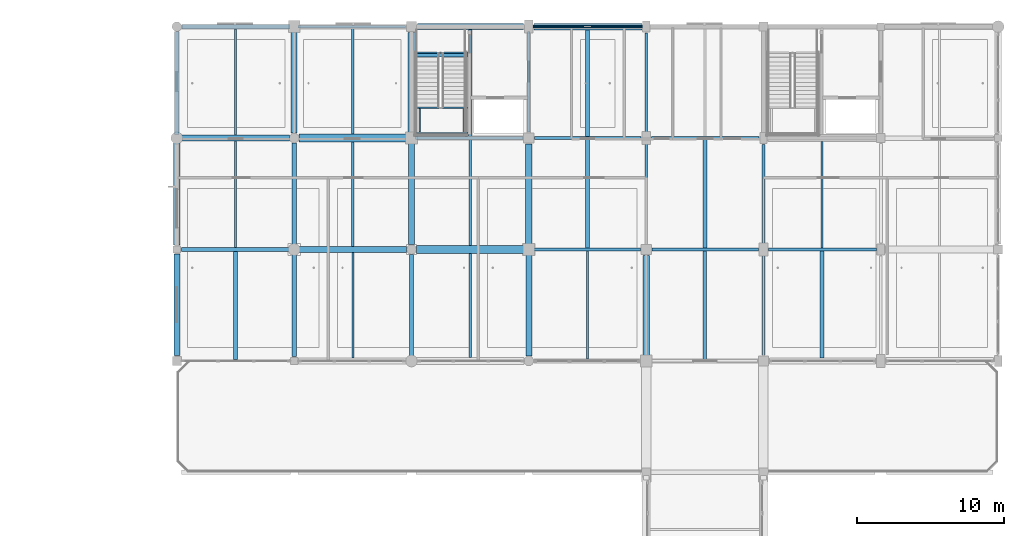
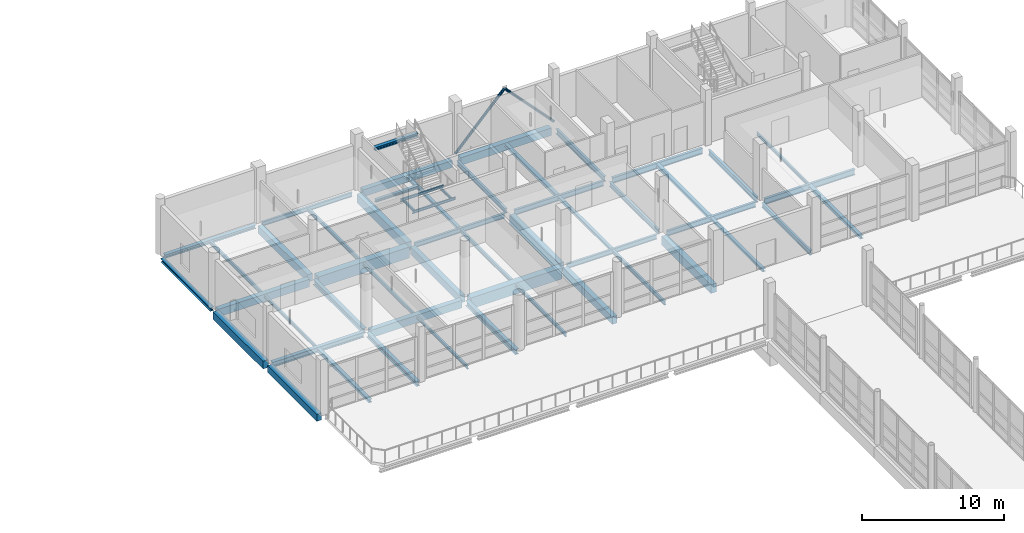
# One storey, part 67 of 141: 54 beams, 2 members.
"""IFC4 building model written with IfcOpenShell, lengths in metres."""

from ifc_helpers import new_model, si_unit, direction, frame, origin, origin_2d, place, context, subcontext, project, spatial, rectangle, hollow_circle, i_section, extrude, material, material_profile, profile_set, type_object, element, save


model = new_model("IFC4")

# Units and contexts
model_context = context("Model", 3, precision=1e-05, world=origin(), true_north=direction((0.0, 1.0)))
body_context = subcontext(model_context, "Body", "Model", "MODEL_VIEW")
ifc_project = project(units=[si_unit("LENGTHUNIT", "METRE"), si_unit("AREAUNIT", "SQUARE_METRE"), si_unit("VOLUMEUNIT", "CUBIC_METRE"), si_unit("PLANEANGLEUNIT", "RADIAN"), si_unit("MASSUNIT", "GRAM", prefix="KILO")], contexts=[model_context])

# Site, building, storey
site_placement = place(None, origin())
site = spatial("IfcSite", under=ifc_project, at=site_placement, CompositionType="ELEMENT")
building_placement = place(site_placement, origin())
building = spatial("IfcBuilding", under=site, at=building_placement, Name="Khelvaren Railside Concert Hall", CompositionType="ELEMENT")
storey_placement = place(building_placement, frame((0.0, 0.0, 10.199951171875)))
storey = spatial("IfcBuildingStorey", under=building, at=storey_placement, Name="L02", CompositionType="ELEMENT", Elevation=10.199951171875)

# Beams
ifc_material_1 = material(Name="Steel S355", Category="steel")
ifc_material_profile_1 = material_profile(ifc_material_1, i_section(OverallWidth=0.300048828125, OverallDepth=0.389892578125, WebThickness=0.010986328125, FlangeThickness=0.01904296875, FilletRadius=0.027099609375, at=origin_2d()), Name="HEA 400")
ifc_profile_set_1 = profile_set([ifc_material_profile_1], Name="Steel S355")
beam_type_1 = type_object("IfcBeamType", Name="BM23", PredefinedType="BEAM", material=ifc_profile_set_1)
beam_1_placement = place(storey_placement, frame((136.0, 91.5, -0.48486328125), z_axis=(0.0, 1.0, 0.0), x_axis=(-1.0, 0.0, 0.0)))
element("IfcBeam", 1, at=beam_1_placement, inside=storey, type_object=beam_type_1, Name="V5 L02 Beam Y2.2", PredefinedType="BEAM", context=body_context, shape_type="SweptSolid", body=[
    extrude(i_section(OverallWidth=0.300048828125, OverallDepth=0.389892578125, WebThickness=0.010986328125, FlangeThickness=0.01904296875, FilletRadius=0.027099609375, at=origin_2d()), origin(), (0.0, 0.0, 1.0), 7.050048828125),
])
ifc_material_profile_2 = material_profile(ifc_material_1, i_section(OverallWidth=0.179931640625, OverallDepth=0.39990234375, WebThickness=0.008544921875, FlangeThickness=0.013427734375, FilletRadius=0.02099609375, at=origin_2d()), Name="IPE 400")
ifc_profile_set_2 = profile_set([ifc_material_profile_2], Name="Steel S355")
beam_type_2 = type_object("IfcBeamType", Name="BM29", PredefinedType="BEAM", material=ifc_profile_set_2)
for number, where, z_axis, x_axis, name in (
    (2, (152.27294921875, 98.800048828125, -0.489990234375), (1.0, 0.0, 0.0), (0.0, 1.0, 0.0), "V5 L02 Beam X3.4"),
    (3, (144.27294921875, 106.39990234375, -0.489990234375), (1.0, 0.0, 0.0), (0.0, 1.0, 0.0), "V5 L02 Beam X4.3"),
):
    element("IfcBeam", number, at=place(storey_placement, frame(where, z_axis=z_axis, x_axis=x_axis)), inside=storey, type_object=beam_type_2, Name=name, PredefinedType="BEAM", context=body_context, shape_type="SweptSolid", body=[
        extrude(i_section(OverallWidth=0.179931640625, OverallDepth=0.39990234375, WebThickness=0.008544921875, FlangeThickness=0.013427734375, FilletRadius=0.02099609375, at=origin_2d()), origin(), (0.0, 0.0, 1.0), 7.3271484375),
    ])
beam_2_placement = place(storey_placement, frame((152.0, 106.800048828125, -0.489990234375), z_axis=(0.0, 1.0, 0.0), x_axis=(-1.0, 0.0, 0.0)))
element("IfcBeam", 4, at=beam_2_placement, inside=storey, type_object=beam_type_2, Name="V5 L02 Beam Y4.4", PredefinedType="BEAM", context=body_context, shape_type="SweptSolid", body=[
    extrude(i_section(OverallWidth=0.179931640625, OverallDepth=0.39990234375, WebThickness=0.008544921875, FlangeThickness=0.013427734375, FilletRadius=0.02099609375, at=origin_2d()), origin(), (0.0, 0.0, 1.0), 6.849853515625),
])
beam_3_placement = place(storey_placement, frame((160.0, 99.199951171875, -0.489990234375), z_axis=(0.0, 1.0, 0.0), x_axis=(-1.0, 0.0, 0.0)))
element("IfcBeam", 5, at=beam_3_placement, inside=storey, type_object=beam_type_2, Name="V5 L02 Beam Y5.3", PredefinedType="BEAM", context=body_context, shape_type="SweptSolid", body=[
    extrude(i_section(OverallWidth=0.179931640625, OverallDepth=0.39990234375, WebThickness=0.008544921875, FlangeThickness=0.013427734375, FilletRadius=0.02099609375, at=origin_2d()), origin(), (0.0, 0.0, 1.0), 6.85009765625),
])
beam_4_placement = place(storey_placement, frame((168.0, 91.60009765625, -0.489990234375), z_axis=(0.0, 1.0, 0.0), x_axis=(-1.0, 0.0, 0.0)))
element("IfcBeam", 6, at=beam_4_placement, inside=storey, type_object=beam_type_2, Name="V5 L02 Beam Y6.2", PredefinedType="BEAM", context=body_context, shape_type="SweptSolid", body=[
    extrude(i_section(OverallWidth=0.179931640625, OverallDepth=0.39990234375, WebThickness=0.008544921875, FlangeThickness=0.013427734375, FilletRadius=0.02099609375, at=origin_2d()), origin(), (0.0, 0.0, 1.0), 6.849853515625),
])
ifc_material_2 = material(Name="Concrete C40/50", Category="concrete")
ifc_material_profile_3 = material_profile(ifc_material_2, rectangle(XDim=0.39990234375, YDim=0.64990234375, at=origin_2d()), Name="RCB 400x650")
ifc_profile_set_3 = profile_set([ifc_material_profile_3], Name="Concrete C40/50")
beam_type_3 = type_object("IfcBeamType", Name="BM33", PredefinedType="BEAM", material=ifc_profile_set_3)
for number, where, z_axis, x_axis, name in (
    (7, (136.25, 98.800048828125, -0.614990234375), (1.0, 0.0, 0.0), (0.0, 1.0, 0.0), "V5 L02 Beam X3.2"),
    (8, (128.25, 106.39990234375, -0.614990234375), (1.0, 0.0, 0.0), (0.0, 1.0, 0.0), "V5 L02 Beam X4.1"),
):
    element("IfcBeam", number, at=place(storey_placement, frame(where, z_axis=z_axis, x_axis=x_axis)), inside=storey, type_object=beam_type_3, Name=name, PredefinedType="BEAM", context=body_context, shape_type="SweptSolid", body=[
        extrude(rectangle(XDim=0.39990234375, YDim=0.64990234375, at=origin_2d()), origin(), (0.0, 0.0, 1.0), 7.4140625),
    ])
for number, where, z_axis, x_axis, name in (
    (9, (136.0, 106.736083984375, -0.614990234375), (0.0, 1.0, 0.0), (-1.0, 0.0, 0.0), "V5 L02 Beam Y2.4"),
    (10, (144.0, 99.135986328125, -0.614990234375), (0.0, 1.0, 0.0), (-1.0, 0.0, 0.0), "V5 L02 Beam Y3.3"),
):
    element("IfcBeam", number, at=place(storey_placement, frame(where, z_axis=z_axis, x_axis=x_axis)), inside=storey, type_object=beam_type_3, Name=name, PredefinedType="BEAM", context=body_context, shape_type="SweptSolid", body=[
        extrude(rectangle(XDim=0.39990234375, YDim=0.64990234375, at=origin_2d()), origin(), (0.0, 0.0, 1.0), 6.990966796875),
    ])
beam_5_placement = place(storey_placement, frame((152.0, 91.535888671875, -0.614990234375), z_axis=(0.0, 1.0, 0.0), x_axis=(-1.0, 0.0, 0.0)))
element("IfcBeam", 11, at=beam_5_placement, inside=storey, type_object=beam_type_3, Name="V5 L02 Beam Y4.2", PredefinedType="BEAM", context=body_context, shape_type="SweptSolid", body=[
    extrude(rectangle(XDim=0.39990234375, YDim=0.64990234375, at=origin_2d()), origin(), (0.0, 0.0, 1.0), 6.9912109375),
])
ifc_material_profile_4 = material_profile(ifc_material_1, i_section(OverallWidth=0.239990234375, OverallDepth=0.22998046875, WebThickness=0.007568359375, FlangeThickness=0.011962890625, FilletRadius=0.02099609375, at=origin_2d()), Name="HEA 240")
ifc_profile_set_4 = profile_set([ifc_material_profile_4], Name="Steel S355")
beam_type_4 = type_object("IfcBeamType", Name="BM42", PredefinedType="BEAM", material=ifc_profile_set_4)
beam_6_placement = place(storey_placement, frame((144.344970703125, 112.039306640625, -0.114990234375), z_axis=(1.0, 0.0, 0.0), x_axis=(0.0, 1.0, 0.0)))
element("IfcBeam", 12, at=beam_6_placement, inside=storey, type_object=beam_type_4, Name="ST-09 L02 Stair Foot Trimmer Beam", PredefinedType="BEAM", context=body_context, shape_type="SweptSolid", body=[
    extrude(i_section(OverallWidth=0.239990234375, OverallDepth=0.22998046875, WebThickness=0.007568359375, FlangeThickness=0.011962890625, FilletRadius=0.02099609375, at=origin_2d()), origin(), (0.0, 0.0, 1.0), 3.4951171875),
])
ifc_material_profile_5 = material_profile(ifc_material_1, i_section(OverallWidth=0.199951171875, OverallDepth=0.5, WebThickness=0.01025390625, FlangeThickness=0.01611328125, FilletRadius=0.02099609375, at=origin_2d()), Name="IPE 500")
ifc_profile_set_5 = profile_set([ifc_material_profile_5], Name="Steel S355")
beam_type_5 = type_object("IfcBeamType", Name="BM62", PredefinedType="BEAM", material=ifc_profile_set_5)
for number, where, z_axis, x_axis, name in (
    (13, (168.35009765625, 98.800048828125, -0.5400390625), (1.0, 0.0, 0.0), (0.0, 1.0, 0.0), "V5 L02 Beam X3.6"),
    (14, (160.35009765625, 106.39990234375, -0.5400390625), (1.0, 0.0, 0.0), (0.0, 1.0, 0.0), "V5 L02 Beam X4.5"),
):
    element("IfcBeam", number, at=place(storey_placement, frame(where, z_axis=z_axis, x_axis=x_axis)), inside=storey, type_object=beam_type_5, Name=name, PredefinedType="BEAM", context=body_context, shape_type="SweptSolid", body=[
        extrude(i_section(OverallWidth=0.199951171875, OverallDepth=0.5, WebThickness=0.01025390625, FlangeThickness=0.01611328125, FilletRadius=0.02099609375, at=origin_2d()), origin(), (0.0, 0.0, 1.0), 7.349853515625),
    ])
ifc_material_profile_6 = material_profile(ifc_material_2, rectangle(XDim=0.449951171875, YDim=0.75, at=origin_2d()), Name="RCB 450x750")
ifc_profile_set_6 = profile_set([ifc_material_profile_6], Name="Concrete C40/50")
beam_type_6 = type_object("IfcBeamType", Name="BM83", PredefinedType="BEAM", material=ifc_profile_set_6)
for number, where, z_axis, x_axis, name in (
    (15, (144.0, 106.673095703125, -0.6650390625), (0.0, 1.0, 0.0), (-1.0, 0.0, 0.0), "V5 L02 Beam Y3.4"),
    (16, (152.0, 99.072998046875, -0.6650390625), (0.0, 1.0, 0.0), (-1.0, 0.0, 0.0), "V5 L02 Beam Y4.3"),
    (17, (160.0, 91.472900390625, -0.6650390625), (0.0, 1.0, 0.0), (-1.0, 0.0, 0.0), "V5 L02 Beam Y5.2"),
):
    element("IfcBeam", number, at=place(storey_placement, frame(where, z_axis=z_axis, x_axis=x_axis)), inside=storey, type_object=beam_type_6, Name=name, PredefinedType="BEAM", context=body_context, shape_type="SweptSolid", body=[
        extrude(rectangle(XDim=0.449951171875, YDim=0.75, at=origin_2d()), origin(), (0.0, 0.0, 1.0), 6.927001953125),
    ])
ifc_material_profile_7 = material_profile(ifc_material_1, i_section(OverallWidth=0.110107421875, OverallDepth=0.219970703125, WebThickness=0.005859375, FlangeThickness=0.00927734375, FilletRadius=0.011962890625, at=origin_2d()), Name="IPE 220")
ifc_profile_set_7 = profile_set([ifc_material_profile_7], Name="Steel S355")
beam_type_7 = type_object("IfcBeamType", Name="BM87", PredefinedType="BEAM", material=ifc_profile_set_7)
for number, where, z_axis, x_axis, name in (
    (18, (144.344970703125, 108.455078125, 2.090087890625), (1.0, 0.0, 0.0), (0.0, 1.0, 0.0), "ST-09 L02 Half-Landing Front Beam"),
    (19, (144.344970703125, 106.760009765625, 2.090087890625), (1.0, 0.0, 0.0), (0.0, 1.0, 0.0), "ST-09 L02 Half-Landing Rear Beam"),
):
    element("IfcBeam", number, at=place(storey_placement, frame(where, z_axis=z_axis, x_axis=x_axis)), inside=storey, type_object=beam_type_7, Name=name, PredefinedType="BEAM", context=body_context, shape_type="SweptSolid", body=[
        extrude(i_section(OverallWidth=0.110107421875, OverallDepth=0.219970703125, WebThickness=0.005859375, FlangeThickness=0.00927734375, FilletRadius=0.011962890625, at=origin_2d()), origin(), (0.0, 0.0, 1.0), 3.4951171875),
    ])
for number, where, z_axis, x_axis, name in (
    (20, (144.550048828125, 106.81494140625, 2.090087890625), (0.0, 1.0, 0.0), (-1.0, 0.0, 0.0), "ST-09 L02 Half-Landing Side Tie W"),
    (21, (147.550048828125, 106.81494140625, 2.090087890625), (0.0, 1.0, 0.0), (-1.0, 0.0, 0.0), "ST-09 L02 Half-Landing Side Tie E"),
):
    element("IfcBeam", number, at=place(storey_placement, frame(where, z_axis=z_axis, x_axis=x_axis)), inside=storey, type_object=beam_type_7, Name=name, PredefinedType="BEAM", context=body_context, shape_type="SweptSolid", body=[
        extrude(i_section(OverallWidth=0.110107421875, OverallDepth=0.219970703125, WebThickness=0.005859375, FlangeThickness=0.00927734375, FilletRadius=0.011962890625, at=origin_2d()), origin(), (0.0, 0.0, 1.0), 1.5849609375),
    ])
ifc_material_profile_8 = material_profile(ifc_material_1, i_section(OverallWidth=0.300048828125, OverallDepth=0.43994140625, WebThickness=0.011474609375, FlangeThickness=0.02099609375, FilletRadius=0.027099609375, at=origin_2d()), Name="HEA 450")
ifc_profile_set_8 = profile_set([ifc_material_profile_8], Name="Steel S355")
beam_type_8 = type_object("IfcBeamType", Name="BM89", PredefinedType="BEAM", material=ifc_profile_set_8)
beam_7_placement = place(storey_placement, frame((128.300048828125, 98.800048828125, -0.510009765625), z_axis=(1.0, 0.0, 0.0), x_axis=(0.0, 1.0, 0.0)))
element("IfcBeam", 22, at=beam_7_placement, inside=storey, type_object=beam_type_8, Name="V5 L02 Beam X3.1", PredefinedType="BEAM", context=body_context, shape_type="SweptSolid", body=[
    extrude(i_section(OverallWidth=0.300048828125, OverallDepth=0.43994140625, WebThickness=0.011474609375, FlangeThickness=0.02099609375, FilletRadius=0.027099609375, at=origin_2d()), origin(), (0.0, 0.0, 1.0), 7.449951171875),
])
beam_8_placement = place(storey_placement, frame((136.0, 99.050048828125, -0.510009765625), z_axis=(0.0, 1.0, 0.0), x_axis=(-1.0, 0.0, 0.0)))
element("IfcBeam", 23, at=beam_8_placement, inside=storey, type_object=beam_type_8, Name="V5 L02 Beam Y2.3", PredefinedType="BEAM", context=body_context, shape_type="SweptSolid", body=[
    extrude(i_section(OverallWidth=0.300048828125, OverallDepth=0.43994140625, WebThickness=0.011474609375, FlangeThickness=0.02099609375, FilletRadius=0.027099609375, at=origin_2d()), origin(), (0.0, 0.0, 1.0), 7.013916015625),
])
beam_9_placement = place(storey_placement, frame((144.0, 91.449951171875, -0.510009765625), z_axis=(0.0, 1.0, 0.0), x_axis=(-1.0, 0.0, 0.0)))
element("IfcBeam", 24, at=beam_9_placement, inside=storey, type_object=beam_type_8, Name="V5 L02 Beam Y3.2", PredefinedType="BEAM", context=body_context, shape_type="SweptSolid", body=[
    extrude(i_section(OverallWidth=0.300048828125, OverallDepth=0.43994140625, WebThickness=0.011474609375, FlangeThickness=0.02099609375, FilletRadius=0.027099609375, at=origin_2d()), origin(), (0.0, 0.0, 1.0), 7.01416015625),
])
ifc_material_profile_9 = material_profile(ifc_material_1, i_section(OverallWidth=0.280029296875, OverallDepth=0.27001953125, WebThickness=0.008056640625, FlangeThickness=0.012939453125, FilletRadius=0.02392578125, at=origin_2d()), Name="HEA 280")
ifc_profile_set_9 = profile_set([ifc_material_profile_9], Name="Steel S355")
beam_type_9 = type_object("IfcBeamType", Name="BM93", PredefinedType="BEAM", material=ifc_profile_set_9)
beam_10_placement = place(storey_placement, frame((144.344970703125, 112.139892578125, 4.317626953125), z_axis=(1.0, 0.0, 0.0), x_axis=(0.0, 1.0, 0.0)))
element("IfcBeam", 25, at=beam_10_placement, inside=storey, type_object=beam_type_9, Name="ST-09 L02 Stair Top Arrival Trimmer Beam", PredefinedType="BEAM", context=body_context, shape_type="SweptSolid", body=[
    extrude(i_section(OverallWidth=0.280029296875, OverallDepth=0.27001953125, WebThickness=0.008056640625, FlangeThickness=0.012939453125, FilletRadius=0.02392578125, at=origin_2d()), origin(), (0.0, 0.0, 1.0), 3.4951171875),
])
ifc_material_profile_10 = material_profile(ifc_material_1, i_section(OverallWidth=0.18994140625, OverallDepth=0.449951171875, WebThickness=0.009521484375, FlangeThickness=0.0146484375, FilletRadius=0.02099609375, at=origin_2d()), Name="IPE 450")
ifc_profile_set_10 = profile_set([ifc_material_profile_10], Name="Steel S355")
beam_type_10 = type_object("IfcBeamType", Name="BM95", PredefinedType="BEAM", material=ifc_profile_set_10)
for number, where, z_axis, x_axis, name in (
    (26, (160.39990234375, 98.800048828125, -0.514892578125), (1.0, 0.0, 0.0), (0.0, 1.0, 0.0), "V5 L02 Beam X3.5"),
    (27, (152.39990234375, 106.39990234375, -0.514892578125), (1.0, 0.0, 0.0), (0.0, 1.0, 0.0), "V5 L02 Beam X4.4"),
):
    element("IfcBeam", number, at=place(storey_placement, frame(where, z_axis=z_axis, x_axis=x_axis)), inside=storey, type_object=beam_type_10, Name=name, PredefinedType="BEAM", context=body_context, shape_type="SweptSolid", body=[
        extrude(i_section(OverallWidth=0.18994140625, OverallDepth=0.449951171875, WebThickness=0.009521484375, FlangeThickness=0.0146484375, FilletRadius=0.02099609375, at=origin_2d()), origin(), (0.0, 0.0, 1.0), 7.25),
    ])
for number, where, z_axis, x_axis, name in (
    (28, (160.0, 106.75, -0.514892578125), (0.0, 1.0, 0.0), (-1.0, 0.0, 0.0), "V5 L02 Beam Y5.4"),
    (29, (168.0, 99.14990234375, -0.514892578125), (0.0, 1.0, 0.0), (-1.0, 0.0, 0.0), "V5 L02 Beam Y6.3"),
):
    element("IfcBeam", number, at=place(storey_placement, frame(where, z_axis=z_axis, x_axis=x_axis)), inside=storey, type_object=beam_type_10, Name=name, PredefinedType="BEAM", context=body_context, shape_type="SweptSolid", body=[
        extrude(i_section(OverallWidth=0.18994140625, OverallDepth=0.449951171875, WebThickness=0.009521484375, FlangeThickness=0.0146484375, FilletRadius=0.02099609375, at=origin_2d()), origin(), (0.0, 0.0, 1.0), 6.800048828125),
    ])

# Members
ifc_material_profile_11 = material_profile(ifc_material_1, hollow_circle(Radius=0.109619140625, WallThickness=0.012451171875, at=origin_2d()), Name="CHS 219.1x12.5")
ifc_profile_set_11 = profile_set([ifc_material_profile_11], Name="Steel S355")
member_type = type_object("IfcMemberType", Name="BR37", PredefinedType="BRACE", material=ifc_profile_set_11)
for number, where, z_axis, x_axis, name in (
    (30, (152.0, 114.0, 0.050048828125), (0.687937954056, 0.0, 0.725769502921), (0.0, 1.0, 0.0), "V5 L02 Seismic Chevron Brace 61"),
    (31, (160.0, 114.0, 0.050048828125), (-0.687937954056, 0.0, 0.725769502921), (0.0, -1.0, 0.0), "V5 L02 Seismic Chevron Brace 62"),
):
    element("IfcMember", number, at=place(storey_placement, frame(where, z_axis=z_axis, x_axis=x_axis)), inside=storey, type_object=member_type, Name=name, PredefinedType="BRACE", context=body_context, shape_type="SweptSolid", body=[
        extrude(hollow_circle(Radius=0.109619140625, WallThickness=0.012451171875, at=origin_2d()), origin(), (0.0, 0.0, 1.0), 5.814453125),
    ])

# Beams
ifc_material_profile_12 = material_profile(ifc_material_2, rectangle(XDim=0.550048828125, YDim=0.949951171875, at=origin_2d()), Name="RCB 550x950")
ifc_profile_set_12 = profile_set([ifc_material_profile_12], Name="Concrete C40/50")
beam_type_11 = type_object("IfcBeamType", Name="GR57", PredefinedType="T_BEAM", material=ifc_profile_set_12)
for number, where, z_axis, x_axis, name in (
    (32, (144.3359375, 98.800048828125, -0.764892578125), (1.0, 0.0, 0.0), (0.0, 1.0, 0.0), "V5 L02 T_Beam X3.3"),
    (33, (136.3359375, 106.39990234375, -0.764892578125), (1.0, 0.0, 0.0), (0.0, 1.0, 0.0), "V5 L02 T_Beam X4.2"),
):
    element("IfcBeam", number, at=place(storey_placement, frame(where, z_axis=z_axis, x_axis=x_axis)), inside=storey, type_object=beam_type_11, Name=name, PredefinedType="T_BEAM", context=body_context, shape_type="SweptSolid", body=[
        extrude(rectangle(XDim=0.550048828125, YDim=0.949951171875, at=origin_2d()), origin(), (0.0, 0.0, 1.0), 7.39111328125),
    ])
ifc_material_profile_13 = material_profile(ifc_material_1, i_section(OverallWidth=0.14990234375, OverallDepth=0.300048828125, WebThickness=0.007080078125, FlangeThickness=0.0107421875, FilletRadius=0.014892578125, at=origin_2d()), Name="IPE 300")
ifc_profile_set_13 = profile_set([ifc_material_profile_13], Name="Steel S355")
beam_type_12 = type_object("IfcBeamType", Name="JS26", PredefinedType="JOIST", material=ifc_profile_set_13)
beam_11_placement = place(storey_placement, frame((132.0, 106.60009765625, -0.43994140625), z_axis=(0.0, 1.0, 0.0), x_axis=(-1.0, 0.0, 0.0)))
element("IfcBeam", 34, at=beam_11_placement, inside=storey, type_object=beam_type_12, Name="V5 L02 Secondary Joist 1.4", PredefinedType="JOIST", context=body_context, shape_type="SweptSolid", body=[
    extrude(i_section(OverallWidth=0.14990234375, OverallDepth=0.300048828125, WebThickness=0.007080078125, FlangeThickness=0.0107421875, FilletRadius=0.014892578125, at=origin_2d()), origin(), (0.0, 0.0, 1.0), 7.25),
])
beam_12_placement = place(storey_placement, frame((140.0, 99.0, -0.43994140625), z_axis=(0.0, 1.0, 0.0), x_axis=(-1.0, 0.0, 0.0)))
element("IfcBeam", 35, at=beam_12_placement, inside=storey, type_object=beam_type_12, Name="V5 L02 Secondary Joist 2.3", PredefinedType="JOIST", context=body_context, shape_type="SweptSolid", body=[
    extrude(i_section(OverallWidth=0.14990234375, OverallDepth=0.300048828125, WebThickness=0.007080078125, FlangeThickness=0.0107421875, FilletRadius=0.014892578125, at=origin_2d()), origin(), (0.0, 0.0, 1.0), 7.125),
])
beam_13_placement = place(storey_placement, frame((148.0, 91.425048828125, -0.43994140625), z_axis=(0.0, 1.0, 0.0), x_axis=(-1.0, 0.0, 0.0)))
element("IfcBeam", 36, at=beam_13_placement, inside=storey, type_object=beam_type_12, Name="V5 L02 Secondary Joist 3.2", PredefinedType="JOIST", context=body_context, shape_type="SweptSolid", body=[
    extrude(i_section(OverallWidth=0.14990234375, OverallDepth=0.300048828125, WebThickness=0.007080078125, FlangeThickness=0.0107421875, FilletRadius=0.014892578125, at=origin_2d()), origin(), (0.0, 0.0, 1.0), 7.099853515625),
])
ifc_material_profile_14 = material_profile(ifc_material_1, i_section(OverallWidth=0.280029296875, OverallDepth=0.27001953125, WebThickness=0.008056640625, FlangeThickness=0.012939453125, FilletRadius=0.02392578125, at=origin_2d()), Name="HEA 280")
ifc_profile_set_14 = profile_set([ifc_material_profile_14], Name="Steel S355")
beam_type_13 = type_object("IfcBeamType", Name="JS46", PredefinedType="JOIST", material=ifc_profile_set_14)
beam_14_placement = place(storey_placement, frame((132.0, 91.284912109375, -0.425048828125), z_axis=(0.0, 1.0, 0.0), x_axis=(-1.0, 0.0, 0.0)))
element("IfcBeam", 37, at=beam_14_placement, inside=storey, type_object=beam_type_13, Name="V5 L02 Secondary Joist 1.2", PredefinedType="JOIST", context=body_context, shape_type="SweptSolid", body=[
    extrude(i_section(OverallWidth=0.280029296875, OverallDepth=0.27001953125, WebThickness=0.008056640625, FlangeThickness=0.012939453125, FilletRadius=0.02392578125, at=origin_2d()), origin(), (0.0, 0.0, 1.0), 7.364990234375),
])
beam_15_placement = place(storey_placement, frame((156.0, 106.4951171875, -0.425048828125), z_axis=(0.0, 1.0, 0.0), x_axis=(-1.0, 0.0, 0.0)))
element("IfcBeam", 38, at=beam_15_placement, inside=storey, type_object=beam_type_13, Name="V5 L02 Secondary Joist 4.4", PredefinedType="JOIST", context=body_context, shape_type="SweptSolid", body=[
    extrude(i_section(OverallWidth=0.280029296875, OverallDepth=0.27001953125, WebThickness=0.008056640625, FlangeThickness=0.012939453125, FilletRadius=0.02392578125, at=origin_2d()), origin(), (0.0, 0.0, 1.0), 7.27978515625),
])
beam_16_placement = place(storey_placement, frame((164.0, 98.89501953125, -0.425048828125), z_axis=(0.0, 1.0, 0.0), x_axis=(-1.0, 0.0, 0.0)))
element("IfcBeam", 39, at=beam_16_placement, inside=storey, type_object=beam_type_13, Name="V5 L02 Secondary Joist 5.3", PredefinedType="JOIST", context=body_context, shape_type="SweptSolid", body=[
    extrude(i_section(OverallWidth=0.280029296875, OverallDepth=0.27001953125, WebThickness=0.008056640625, FlangeThickness=0.012939453125, FilletRadius=0.02392578125, at=origin_2d()), origin(), (0.0, 0.0, 1.0), 7.405029296875),
])
beam_17_placement = place(storey_placement, frame((172.0, 91.39990234375, -0.425048828125), z_axis=(0.0, 1.0, 0.0), x_axis=(-1.0, 0.0, 0.0)))
element("IfcBeam", 40, at=beam_17_placement, inside=storey, type_object=beam_type_13, Name="V5 L02 Secondary Joist 6.2", PredefinedType="JOIST", context=body_context, shape_type="SweptSolid", body=[
    extrude(i_section(OverallWidth=0.280029296875, OverallDepth=0.27001953125, WebThickness=0.008056640625, FlangeThickness=0.012939453125, FilletRadius=0.02392578125, at=origin_2d()), origin(), (0.0, 0.0, 1.0), 7.300048828125),
])
ifc_material_profile_15 = material_profile(ifc_material_1, i_section(OverallWidth=0.159912109375, OverallDepth=0.330078125, WebThickness=0.007568359375, FlangeThickness=0.011474609375, FilletRadius=0.01806640625, at=origin_2d()), Name="IPE 330")
ifc_profile_set_15 = profile_set([ifc_material_profile_15], Name="Steel S355")
beam_type_14 = type_object("IfcBeamType", Name="JS65", PredefinedType="JOIST", material=ifc_profile_set_15)
beam_18_placement = place(storey_placement, frame((140.0, 106.675048828125, -0.454833984375), z_axis=(0.0, 1.0, 0.0), x_axis=(-1.0, 0.0, 0.0)))
element("IfcBeam", 41, at=beam_18_placement, inside=storey, type_object=beam_type_14, Name="V5 L02 Secondary Joist 2.4", PredefinedType="JOIST", context=body_context, shape_type="SweptSolid", body=[
    extrude(i_section(OverallWidth=0.159912109375, OverallDepth=0.330078125, WebThickness=0.007568359375, FlangeThickness=0.011474609375, FilletRadius=0.01806640625, at=origin_2d()), origin(), (0.0, 0.0, 1.0), 7.239990234375),
])
beam_19_placement = place(storey_placement, frame((148.0, 99.074951171875, -0.454833984375), z_axis=(0.0, 1.0, 0.0), x_axis=(-1.0, 0.0, 0.0)))
element("IfcBeam", 42, at=beam_19_placement, inside=storey, type_object=beam_type_14, Name="V5 L02 Secondary Joist 3.3", PredefinedType="JOIST", context=body_context, shape_type="SweptSolid", body=[
    extrude(i_section(OverallWidth=0.159912109375, OverallDepth=0.330078125, WebThickness=0.007568359375, FlangeThickness=0.011474609375, FilletRadius=0.01806640625, at=origin_2d()), origin(), (0.0, 0.0, 1.0), 7.235107421875),
])
beam_20_placement = place(storey_placement, frame((156.0, 91.35009765625, -0.454833984375), z_axis=(0.0, 1.0, 0.0), x_axis=(-1.0, 0.0, 0.0)))
element("IfcBeam", 43, at=beam_20_placement, inside=storey, type_object=beam_type_14, Name="V5 L02 Secondary Joist 4.2", PredefinedType="JOIST", context=body_context, shape_type="SweptSolid", body=[
    extrude(i_section(OverallWidth=0.159912109375, OverallDepth=0.330078125, WebThickness=0.007568359375, FlangeThickness=0.011474609375, FilletRadius=0.01806640625, at=origin_2d()), origin(), (0.0, 0.0, 1.0), 7.35986328125),
])
ifc_material_profile_16 = material_profile(ifc_material_1, i_section(OverallWidth=0.239990234375, OverallDepth=0.22998046875, WebThickness=0.007568359375, FlangeThickness=0.011962890625, FilletRadius=0.02099609375, at=origin_2d()), Name="HEA 240")
ifc_profile_set_16 = profile_set([ifc_material_profile_16], Name="Steel S355")
beam_type_15 = type_object("IfcBeamType", Name="JS76", PredefinedType="JOIST", material=ifc_profile_set_16)
beam_21_placement = place(storey_placement, frame((148.0, 106.489990234375, -0.405029296875), z_axis=(0.0, 1.0, 0.0), x_axis=(-1.0, 0.0, 0.0)))
element("IfcBeam", 44, at=beam_21_placement, inside=storey, type_object=beam_type_15, Name="V5 L02 Secondary Joist 3.4", PredefinedType="JOIST", context=body_context, shape_type="SweptSolid", body=[
    extrude(i_section(OverallWidth=0.239990234375, OverallDepth=0.22998046875, WebThickness=0.007568359375, FlangeThickness=0.011962890625, FilletRadius=0.02099609375, at=origin_2d()), origin(), (0.0, 0.0, 1.0), 7.31005859375),
])
beam_22_placement = place(storey_placement, frame((156.0, 98.889892578125, -0.405029296875), z_axis=(0.0, 1.0, 0.0), x_axis=(-1.0, 0.0, 0.0)))
element("IfcBeam", 45, at=beam_22_placement, inside=storey, type_object=beam_type_15, Name="V5 L02 Secondary Joist 4.3", PredefinedType="JOIST", context=body_context, shape_type="SweptSolid", body=[
    extrude(i_section(OverallWidth=0.239990234375, OverallDepth=0.22998046875, WebThickness=0.007568359375, FlangeThickness=0.011962890625, FilletRadius=0.02099609375, at=origin_2d()), origin(), (0.0, 0.0, 1.0), 7.4150390625),
])
beam_23_placement = place(storey_placement, frame((164.0, 91.284912109375, -0.405029296875), z_axis=(0.0, 1.0, 0.0), x_axis=(-1.0, 0.0, 0.0)))
element("IfcBeam", 46, at=beam_23_placement, inside=storey, type_object=beam_type_15, Name="V5 L02 Secondary Joist 5.2", PredefinedType="JOIST", context=body_context, shape_type="SweptSolid", body=[
    extrude(i_section(OverallWidth=0.239990234375, OverallDepth=0.22998046875, WebThickness=0.007568359375, FlangeThickness=0.011962890625, FilletRadius=0.02099609375, at=origin_2d()), origin(), (0.0, 0.0, 1.0), 7.420166015625),
])
ifc_material_profile_17 = material_profile(ifc_material_1, i_section(OverallWidth=0.135009765625, OverallDepth=0.27001953125, WebThickness=0.006591796875, FlangeThickness=0.01025390625, FilletRadius=0.014892578125, at=origin_2d()), Name="IPE 270")
ifc_profile_set_17 = profile_set([ifc_material_profile_17], Name="Steel S355")
beam_type_16 = type_object("IfcBeamType", Name="JS78", PredefinedType="JOIST", material=ifc_profile_set_17)
beam_24_placement = place(storey_placement, frame((132.0, 98.949951171875, -0.425048828125), z_axis=(0.0, 1.0, 0.0), x_axis=(-1.0, 0.0, 0.0)))
element("IfcBeam", 47, at=beam_24_placement, inside=storey, type_object=beam_type_16, Name="V5 L02 Secondary Joist 1.3", PredefinedType="JOIST", context=body_context, shape_type="SweptSolid", body=[
    extrude(i_section(OverallWidth=0.135009765625, OverallDepth=0.27001953125, WebThickness=0.006591796875, FlangeThickness=0.01025390625, FilletRadius=0.014892578125, at=origin_2d()), origin(), (0.0, 0.0, 1.0), 7.25),
])
beam_25_placement = place(storey_placement, frame((140.0, 91.39990234375, -0.425048828125), z_axis=(0.0, 1.0, 0.0), x_axis=(-1.0, 0.0, 0.0)))
element("IfcBeam", 48, at=beam_25_placement, inside=storey, type_object=beam_type_16, Name="V5 L02 Secondary Joist 2.2", PredefinedType="JOIST", context=body_context, shape_type="SweptSolid", body=[
    extrude(i_section(OverallWidth=0.135009765625, OverallDepth=0.27001953125, WebThickness=0.006591796875, FlangeThickness=0.01025390625, FilletRadius=0.014892578125, at=origin_2d()), origin(), (0.0, 0.0, 1.0), 7.2001953125),
])
beam_26_placement = place(storey_placement, frame((172.0, 98.89990234375, -0.425048828125), z_axis=(0.0, 1.0, 0.0), x_axis=(-1.0, 0.0, 0.0)))
element("IfcBeam", 49, at=beam_26_placement, inside=storey, type_object=beam_type_16, Name="V5 L02 Secondary Joist 6.3", PredefinedType="JOIST", context=body_context, shape_type="SweptSolid", body=[
    extrude(i_section(OverallWidth=0.135009765625, OverallDepth=0.27001953125, WebThickness=0.006591796875, FlangeThickness=0.01025390625, FilletRadius=0.014892578125, at=origin_2d()), origin(), (0.0, 0.0, 1.0), 7.25),
])
ifc_material_profile_18 = material_profile(ifc_material_2, rectangle(XDim=0.449951171875, YDim=0.64990234375, at=origin_2d()), Name="RCB 450x650")
ifc_profile_set_18 = profile_set([ifc_material_profile_18], Name="Concrete C40/50")
beam_type_17 = type_object("IfcBeamType", Name="SP34", PredefinedType="SPANDREL", material=ifc_profile_set_18)
beam_27_placement = place(storey_placement, frame((152.35009765625, 114.0, -0.614990234375), z_axis=(1.0, 0.0, 0.0), x_axis=(0.0, 1.0, 0.0)))
element("IfcBeam", 50, at=beam_27_placement, inside=storey, type_object=beam_type_17, Name="V5 L02 Spandrel X5.4", PredefinedType="SPANDREL", context=body_context, shape_type="SweptSolid", body=[
    extrude(rectangle(XDim=0.449951171875, YDim=0.64990234375, at=origin_2d()), origin(), (0.0, 0.0, 1.0), 7.349853515625),
])
beam_28_placement = place(storey_placement, frame((128.0, 99.10009765625, -0.614990234375), z_axis=(0.0, 1.0, 0.0), x_axis=(-1.0, 0.0, 0.0)))
element("IfcBeam", 51, at=beam_28_placement, inside=storey, type_object=beam_type_17, Name="V5 L02 Spandrel Y1.3", PredefinedType="SPANDREL", context=body_context, shape_type="SweptSolid", body=[
    extrude(rectangle(XDim=0.449951171875, YDim=0.64990234375, at=origin_2d()), origin(), (0.0, 0.0, 1.0), 7.0498046875),
])
ifc_material_profile_19 = material_profile(ifc_material_1, i_section(OverallWidth=0.300048828125, OverallDepth=0.31005859375, WebThickness=0.009033203125, FlangeThickness=0.015380859375, FilletRadius=0.027099609375, at=origin_2d()), Name="HEA 320")
ifc_profile_set_19 = profile_set([ifc_material_profile_19], Name="Steel S355")
beam_type_18 = type_object("IfcBeamType", Name="SP66", PredefinedType="SPANDREL", material=ifc_profile_set_19)
beam_29_placement = place(storey_placement, frame((128.3359375, 114.0, -0.445068359375), z_axis=(1.0, 0.0, 0.0), x_axis=(0.0, 1.0, 0.0)))
element("IfcBeam", 52, at=beam_29_placement, inside=storey, type_object=beam_type_18, Name="V5 L02 Spandrel X5.1", PredefinedType="SPANDREL", context=body_context, shape_type="SweptSolid", body=[
    extrude(i_section(OverallWidth=0.300048828125, OverallDepth=0.31005859375, WebThickness=0.009033203125, FlangeThickness=0.015380859375, FilletRadius=0.027099609375, at=origin_2d()), origin(), (0.0, 0.0, 1.0), 7.39111328125),
])
beam_30_placement = place(storey_placement, frame((128.0, 106.64990234375, -0.445068359375), z_axis=(0.0, 1.0, 0.0), x_axis=(-1.0, 0.0, 0.0)))
element("IfcBeam", 53, at=beam_30_placement, inside=storey, type_object=beam_type_18, Name="V5 L02 Spandrel Y1.4", PredefinedType="SPANDREL", context=body_context, shape_type="SweptSolid", body=[
    extrude(i_section(OverallWidth=0.300048828125, OverallDepth=0.31005859375, WebThickness=0.009033203125, FlangeThickness=0.015380859375, FilletRadius=0.027099609375, at=origin_2d()), origin(), (0.0, 0.0, 1.0), 7.01416015625),
])
ifc_material_profile_20 = material_profile(ifc_material_1, i_section(OverallWidth=0.169921875, OverallDepth=0.360107421875, WebThickness=0.008056640625, FlangeThickness=0.0126953125, FilletRadius=0.01806640625, at=origin_2d()), Name="IPE 360")
ifc_profile_set_20 = profile_set([ifc_material_profile_20], Name="Steel S355")
beam_type_19 = type_object("IfcBeamType", Name="SP74", PredefinedType="SPANDREL", material=ifc_profile_set_20)
beam_31_placement = place(storey_placement, frame((136.27294921875, 114.0, -0.469970703125), z_axis=(1.0, 0.0, 0.0), x_axis=(0.0, 1.0, 0.0)))
element("IfcBeam", 54, at=beam_31_placement, inside=storey, type_object=beam_type_19, Name="V5 L02 Spandrel X5.2", PredefinedType="SPANDREL", context=body_context, shape_type="SweptSolid", body=[
    extrude(i_section(OverallWidth=0.169921875, OverallDepth=0.360107421875, WebThickness=0.008056640625, FlangeThickness=0.0126953125, FilletRadius=0.01806640625, at=origin_2d()), origin(), (0.0, 0.0, 1.0), 7.3271484375),
])
ifc_material_profile_21 = material_profile(ifc_material_2, rectangle(XDim=0.39990234375, YDim=0.60009765625, at=origin_2d()), Name="RCB 400x600")
ifc_profile_set_21 = profile_set([ifc_material_profile_21], Name="Concrete C40/50")
beam_type_20 = type_object("IfcBeamType", Name="SP75", PredefinedType="SPANDREL", material=ifc_profile_set_21)
beam_32_placement = place(storey_placement, frame((144.39990234375, 114.0, -0.58984375), z_axis=(1.0, 0.0, 0.0), x_axis=(0.0, 1.0, 0.0)))
element("IfcBeam", 55, at=beam_32_placement, inside=storey, type_object=beam_type_20, Name="V5 L02 Spandrel X5.3", PredefinedType="SPANDREL", context=body_context, shape_type="SweptSolid", body=[
    extrude(rectangle(XDim=0.39990234375, YDim=0.60009765625, at=origin_2d()), origin(), (0.0, 0.0, 1.0), 7.25),
])
beam_33_placement = place(storey_placement, frame((128.0, 91.574951171875, -0.58984375), z_axis=(0.0, 1.0, 0.0), x_axis=(-1.0, 0.0, 0.0)))
element("IfcBeam", 56, at=beam_33_placement, inside=storey, type_object=beam_type_20, Name="V5 L02 Spandrel Y1.2", PredefinedType="SPANDREL", context=body_context, shape_type="SweptSolid", body=[
    extrude(rectangle(XDim=0.39990234375, YDim=0.60009765625, at=origin_2d()), origin(), (0.0, 0.0, 1.0), 6.925048828125),
])

save(model, "model.ifc")
